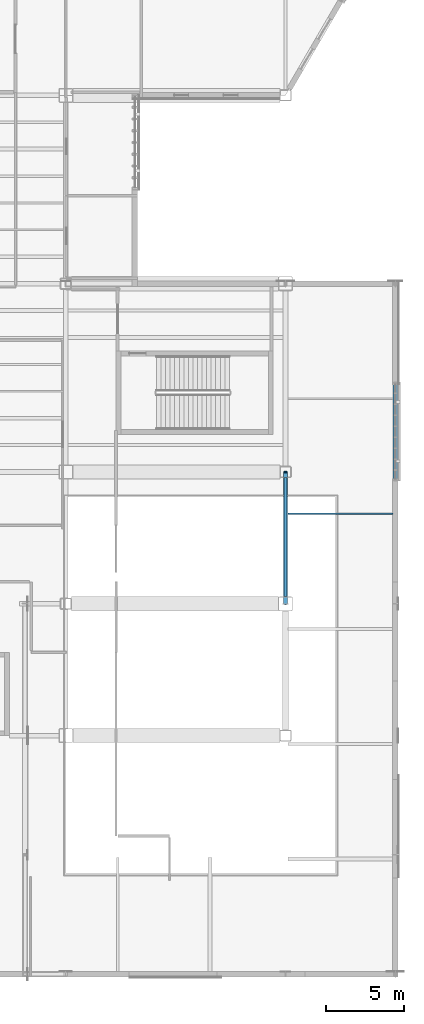
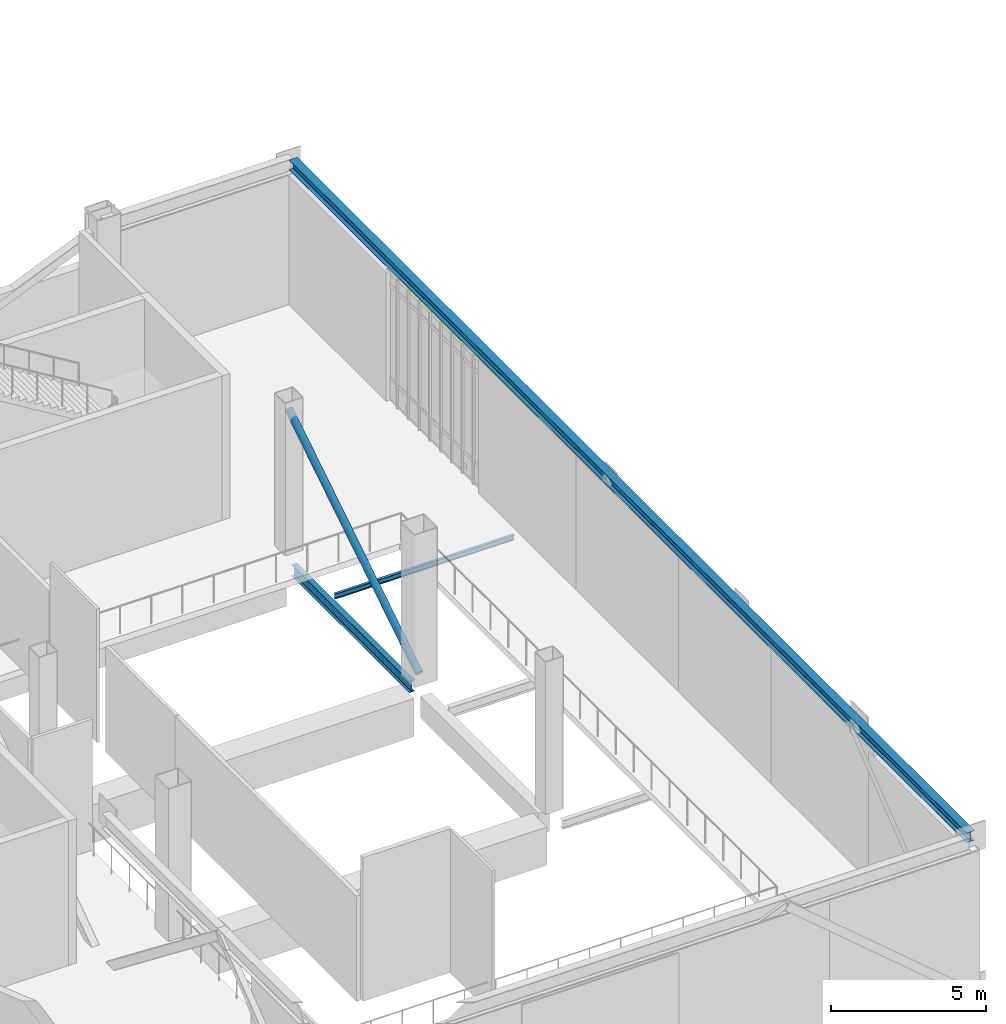
# One storey, part 39 of 135: 3 beams, 1 member.
"""IFC4 building model written with IfcOpenShell, lengths in metres."""

from ifc_helpers import new_model, si_unit, direction, frame, origin, origin_2d, place, context, subcontext, project, spatial, hollow_circle, i_section, extrude, material, material_profile, profile_set, type_object, element, save


model = new_model("IFC4")

# Units and contexts
model_context = context("Model", 3, precision=1e-05, world=origin(), true_north=direction((0.0, 1.0)))
body_context = subcontext(model_context, "Body", "Model", "MODEL_VIEW")
ifc_project = project(units=[si_unit("LENGTHUNIT", "METRE"), si_unit("AREAUNIT", "SQUARE_METRE"), si_unit("VOLUMEUNIT", "CUBIC_METRE"), si_unit("PLANEANGLEUNIT", "RADIAN"), si_unit("MASSUNIT", "GRAM", prefix="KILO")], contexts=[model_context])

# Site, building, storey
site_placement = place(None, origin())
site = spatial("IfcSite", under=ifc_project, at=site_placement, CompositionType="ELEMENT")
building_placement = place(site_placement, origin())
building = spatial("IfcBuilding", under=site, at=building_placement, Name="Larkvane Passage Sports Hall", CompositionType="ELEMENT")
storey_placement = place(building_placement, frame((0.0, 0.0, 10.800048828125)))
storey = spatial("IfcBuildingStorey", under=building, at=storey_placement, Name="L02", CompositionType="ELEMENT", Elevation=10.800048828125)

# Beams
ifc_material = material(Name="Steel S355JR", Category="steel")
ifc_material_profile_1 = material_profile(ifc_material, i_section(OverallWidth=0.300048828125, OverallDepth=0.389892578125, WebThickness=0.010009765625, FlangeThickness=0.01611328125, FilletRadius=0.01806640625, at=origin_2d()), Name="H-390x300x10x16")
ifc_profile_set_1 = profile_set([ifc_material_profile_1], Name="Steel S355JR")
beam_type_1 = type_object("IfcBeamType", Name="BM-STL-H390", PredefinedType="BEAM", material=ifc_profile_set_1)
beam_1_placement = place(storey_placement, frame((152.60009765625, 7.75, 5.48486328125), z_axis=(0.0, 1.0, 0.0), x_axis=(-1.0, 0.0, 0.0)))
element("IfcBeam", 1, at=beam_1_placement, inside=storey, type_object=beam_type_1, Name="Cantilever transverse top beam CT-E2A--3", PredefinedType="BEAM", context=body_context, shape_type="SweptSolid", body=[
    extrude(i_section(OverallWidth=0.300048828125, OverallDepth=0.389892578125, WebThickness=0.010009765625, FlangeThickness=0.01611328125, FilletRadius=0.01806640625, at=origin_2d()), origin(), (0.0, 0.0, 1.0), 43.699951171875),
])
ifc_material_profile_2 = material_profile(ifc_material, i_section(OverallWidth=0.10009765625, OverallDepth=0.199951171875, WebThickness=0.005615234375, FlangeThickness=0.008056640625, FilletRadius=0.008056640625, at=origin_2d()), Name="H-200x100x5.5x8")
ifc_profile_set_2 = profile_set([ifc_material_profile_2], Name="Steel S355JR")
beam_type_2 = type_object("IfcBeamType", Name="JST-STL-H200", PredefinedType="JOIST", material=ifc_profile_set_2)
beam_2_placement = place(storey_placement, frame((145.760009765625, 36.933349609375, -0.35009765625), z_axis=(1.0, 0.0, 0.0), x_axis=(0.0, 1.0, 0.0)))
element("IfcBeam", 2, at=beam_2_placement, inside=storey, type_object=beam_type_2, Name="Cantilever floor joist CT-E2A--2-4", PredefinedType="JOIST", context=body_context, shape_type="SweptSolid", body=[
    extrude(i_section(OverallWidth=0.10009765625, OverallDepth=0.199951171875, WebThickness=0.005615234375, FlangeThickness=0.008056640625, FilletRadius=0.008056640625, at=origin_2d()), origin(), (0.0, 0.0, 1.0), 6.679931640625),
])

# Member
ifc_material_profile_3 = material_profile(ifc_material, hollow_circle(Radius=0.1337890625, WallThickness=0.00927734375, at=origin_2d()), Name="CHS-267.4x9.3")
ifc_profile_set_3 = profile_set([ifc_material_profile_3], Name="Steel S355JR")
member_type = type_object("IfcMemberType", Name="MBR-BR-CHS267", PredefinedType="BRACE", material=ifc_profile_set_3)
member_placement = place(storey_placement, frame((145.60009765625, 31.199951171875, 0.14990234375), z_axis=(0.0, 0.845730043181, 0.533610995071), x_axis=(-1.0, 0.0, 0.0)))
element("IfcMember", 3, at=member_placement, inside=storey, type_object=member_type, Name="Lateral frame brace L02-4", PredefinedType="BRACE", context=body_context, shape_type="SweptSolid", body=[
    extrude(hollow_circle(Radius=0.1337890625, WallThickness=0.00927734375, at=origin_2d()), origin(), (0.0, 0.0, 1.0), 9.932373046875),
])

# Beam
ifc_material_profile_4 = material_profile(ifc_material, i_section(OverallWidth=0.199951171875, OverallDepth=0.449951171875, WebThickness=0.009033203125, FlangeThickness=0.013916015625, FilletRadius=0.01806640625, at=origin_2d()), Name="H-450x200x9x14")
ifc_profile_set_4 = profile_set([ifc_material_profile_4], Name="Steel S355JR")
beam_type_3 = type_object("IfcBeamType", Name="SP-STL-H450", PredefinedType="SPANDREL", material=ifc_profile_set_4)
beam_3_placement = place(storey_placement, frame((145.60009765625, 31.64990234375, -0.64501953125), z_axis=(0.0, 1.0, 0.0), x_axis=(-1.0, 0.0, 0.0)))
element("IfcBeam", 4, at=beam_3_placement, inside=storey, type_object=beam_type_3, Name="Girder BM5-Y-L02-19-0791", PredefinedType="SPANDREL", context=body_context, shape_type="SweptSolid", body=[
    extrude(i_section(OverallWidth=0.199951171875, OverallDepth=0.449951171875, WebThickness=0.009033203125, FlangeThickness=0.013916015625, FilletRadius=0.01806640625, at=origin_2d()), origin(), (0.0, 0.0, 1.0), 7.60009765625),
])

save(model, "model.ifc")
